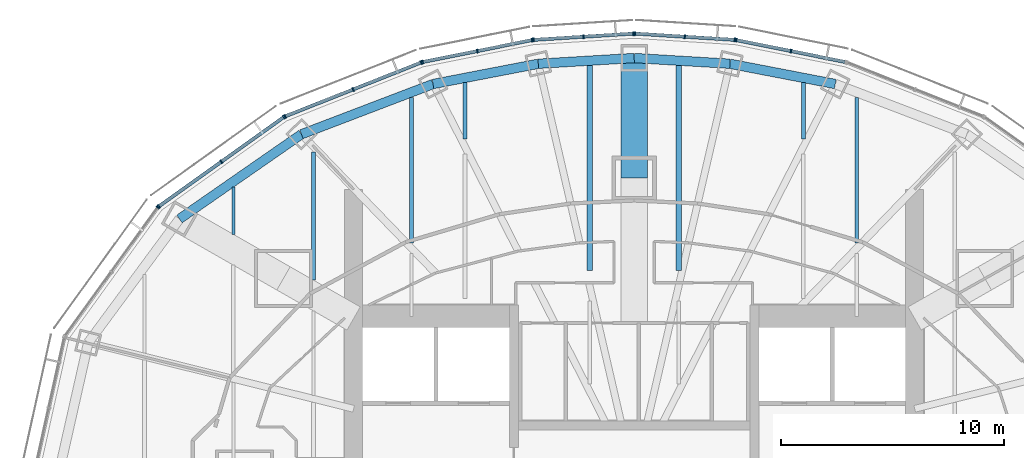
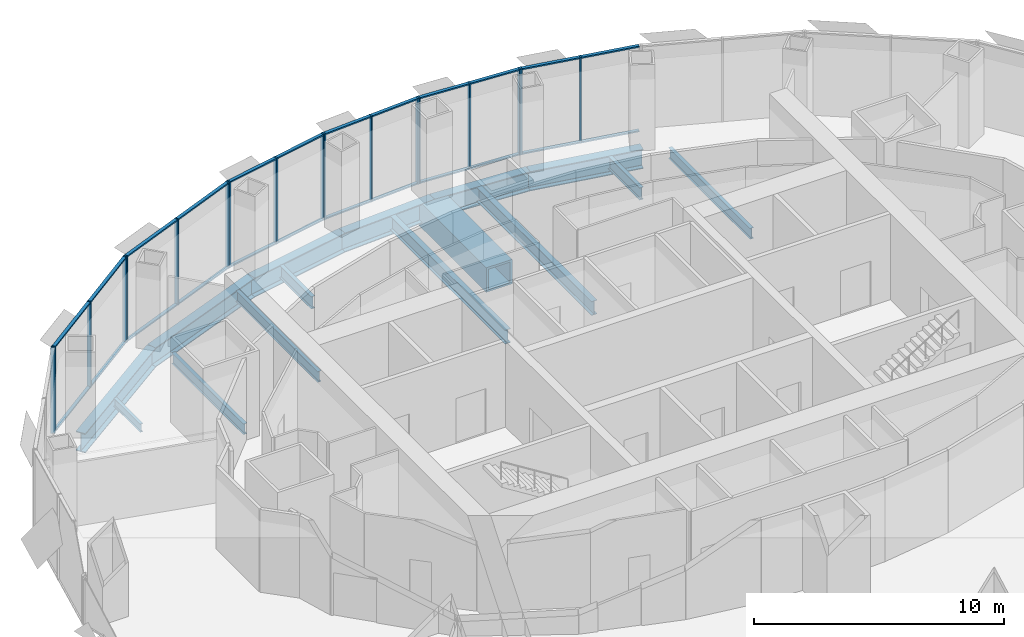
# One storey, part 8 of 17: 42 members, 15 beams, 7 elements without a shape of their own.
"""IFC4 building model written with IfcOpenShell, lengths in metres."""

from ifc_helpers import new_model, si_unit, direction, frame, origin, origin_2d, place, context, subcontext, project, spatial, rectangle, hollow_rectangle, i_section, extrude, material, material_profile, profile_set, type_object, element, aggregate, save


model = new_model("IFC4")

# Units and contexts
model_context = context("Model", 3, precision=1e-05, world=origin(), true_north=direction((0.0, 1.0)))
body_context = subcontext(model_context, "Body", "Model", "MODEL_VIEW")
ifc_project = project(units=[si_unit("LENGTHUNIT", "METRE"), si_unit("AREAUNIT", "SQUARE_METRE"), si_unit("VOLUMEUNIT", "CUBIC_METRE"), si_unit("PLANEANGLEUNIT", "RADIAN"), si_unit("MASSUNIT", "GRAM", prefix="KILO")], contexts=[model_context])

# Site, building, storey
site_placement = place(None, origin())
site = spatial("IfcSite", under=ifc_project, at=site_placement, CompositionType="ELEMENT")
building_placement = place(site_placement, origin())
building = spatial("IfcBuilding", under=site, at=building_placement, Name="Lantaw Convention Tower", CompositionType="ELEMENT")
storey_placement = place(building_placement, frame((0.0, 0.0, 203.199951171875)))
storey = spatial("IfcBuildingStorey", under=building, at=storey_placement, Name="L47", CompositionType="ELEMENT", Elevation=203.199951171875)

# Beams
ifc_material_1 = material(Name="Steel ASTM A992", Category="steel")
ifc_material_profile_1 = material_profile(ifc_material_1, i_section(OverallWidth=0.424072265625, OverallDepth=0.947509765625, WebThickness=0.02392578125, FlangeThickness=0.042724609375, FilletRadius=0.012451171875, at=origin_2d()), Name="W36X302")
ifc_profile_set_1 = profile_set([ifc_material_profile_1], Name="Steel ASTM A992")
beam_type_1 = type_object("IfcBeamType", Name="Beam BC W36X302", PredefinedType="SPANDREL", material=ifc_profile_set_1)
beam_1_placement = place(storey_placement, frame((9.03466796875, 17.7314453125, -0.623779296875), z_axis=(-0.981972091702, 0.189025953556, 0.0), x_axis=(-0.189025953556, -0.981972091702, 0.0)))
element("IfcBeam", 1, at=beam_1_placement, inside=storey, type_object=beam_type_1, Name="Belt truss chord 5", PredefinedType="SPANDREL", context=body_context, shape_type="SweptSolid", body=[
    extrude(i_section(OverallWidth=0.424072265625, OverallDepth=0.947509765625, WebThickness=0.02392578125, FlangeThickness=0.042724609375, FilletRadius=0.012451171875, at=origin_2d()), origin(), (0.0, 0.0, 1.0), 4.817626953125),
])
for number, where, z_axis, x_axis, name in (
    (2, (4.303955078125, 18.64208984375, -0.623779296875), (-0.998210730897, 0.059794119452, 0.0), (-0.059794119452, -0.998210730897, 0.0), "Belt truss chord 6"),
    (3, (0.0, 18.89990234375, -0.623779296875), (-0.998210730897, -0.059794119452, 0.0), (0.059794119452, -0.998210730897, 0.0), "Belt truss chord 7"),
):
    element("IfcBeam", number, at=place(storey_placement, frame(where, z_axis=z_axis, x_axis=x_axis)), inside=storey, type_object=beam_type_1, Name=name, PredefinedType="SPANDREL", context=body_context, shape_type="SweptSolid", body=[
        extrude(i_section(OverallWidth=0.424072265625, OverallDepth=0.947509765625, WebThickness=0.02392578125, FlangeThickness=0.042724609375, FilletRadius=0.012451171875, at=origin_2d()), origin(), (0.0, 0.0, 1.0), 4.311767578125),
    ])
beam_2_placement = place(storey_placement, frame((-4.303955078125, 18.64208984375, -0.623779296875), z_axis=(-0.981972091702, -0.189025953556, 0.0), x_axis=(0.189025953556, -0.981972091702, 0.0)))
element("IfcBeam", 4, at=beam_2_placement, inside=storey, type_object=beam_type_1, Name="Belt truss chord 8", PredefinedType="SPANDREL", context=body_context, shape_type="SweptSolid", body=[
    extrude(i_section(OverallWidth=0.424072265625, OverallDepth=0.947509765625, WebThickness=0.02392578125, FlangeThickness=0.042724609375, FilletRadius=0.012451171875, at=origin_2d()), origin(), (0.0, 0.0, 1.0), 4.817626953125),
])
beam_3_placement = place(storey_placement, frame((-9.03466796875, 17.7314453125, -0.623779296875), z_axis=(-0.934234988, -0.356658081637, 0.0), x_axis=(0.356658081637, -0.934234988, 0.0)))
element("IfcBeam", 5, at=beam_3_placement, inside=storey, type_object=beam_type_1, Name="Belt truss chord 9", PredefinedType="SPANDREL", context=body_context, shape_type="SweptSolid", body=[
    extrude(i_section(OverallWidth=0.424072265625, OverallDepth=0.947509765625, WebThickness=0.02392578125, FlangeThickness=0.042724609375, FilletRadius=0.012451171875, at=origin_2d()), origin(), (0.0, 0.0, 1.0), 6.32568359375),
])
beam_4_placement = place(storey_placement, frame((-14.9443359375, 15.475341796875, -0.623779296875), z_axis=(-0.82135329406, -0.570419815869, 0.0), x_axis=(0.570419815869, -0.82135329406, 0.0)))
element("IfcBeam", 6, at=beam_4_placement, inside=storey, type_object=beam_type_1, Name="Belt truss chord 10", PredefinedType="SPANDREL", context=body_context, shape_type="SweptSolid", body=[
    extrude(i_section(OverallWidth=0.424072265625, OverallDepth=0.947509765625, WebThickness=0.02392578125, FlangeThickness=0.042724609375, FilletRadius=0.012451171875, at=origin_2d()), origin(), (0.0, 0.0, 1.0), 6.67041015625),
])
ifc_material_2 = material(Name="Steel EN 10025-3 S460N", Category="steel")
ifc_material_profile_2 = material_profile(ifc_material_2, hollow_rectangle(XDim=1.199951171875, YDim=1.199951171875, WallThickness=0.10009765625, at=origin_2d()), Name="BOX1200X100")
ifc_profile_set_2 = profile_set([ifc_material_profile_2], Name="Steel EN 10025-3 S460N")
beam_type_2 = type_object("IfcBeamType", Name="Beam G BOX1200X100", PredefinedType="BEAM", material=ifc_profile_set_2)
beam_5_placement = place(storey_placement, frame((0.0, 13.5, -0.75), z_axis=(0.0, 1.0, 0.0), x_axis=(-1.0, 0.0, 0.0)))
element("IfcBeam", 7, at=beam_5_placement, inside=storey, type_object=beam_type_2, Name="Floor girder on ray 7", PredefinedType="BEAM", context=body_context, shape_type="SweptSolid", body=[
    extrude(hollow_rectangle(XDim=1.199951171875, YDim=1.199951171875, WallThickness=0.10009765625, at=origin_2d()), origin(), (0.0, 0.0, 1.0), 5.39990234375),
])
ifc_material_profile_3 = material_profile(ifc_material_1, i_section(OverallWidth=0.140380859375, OverallDepth=0.40380859375, WebThickness=0.007080078125, FlangeThickness=0.01123046875, FilletRadius=0.01025390625, at=origin_2d()), Name="W16X31")
ifc_profile_set_3 = profile_set([ifc_material_profile_3], Name="Steel ASTM A992")
beam_type_3 = type_object("IfcBeamType", Name="Beam J W16X31", PredefinedType="JOIST", material=ifc_profile_set_3)
beam_6_placement = place(storey_placement, frame((-18.0, 10.976806640625, -0.351806640625), z_axis=(0.0, 1.0, 0.0), x_axis=(-1.0, 0.0, 0.0)))
element("IfcBeam", 8, at=beam_6_placement, inside=storey, type_object=beam_type_3, Name="Floor joist", PredefinedType="JOIST", context=body_context, shape_type="SweptSolid", body=[
    extrude(i_section(OverallWidth=0.140380859375, OverallDepth=0.40380859375, WebThickness=0.007080078125, FlangeThickness=0.01123046875, FilletRadius=0.01025390625, at=origin_2d()), origin(), (0.0, 0.0, 1.0), 2.1181640625),
])
ifc_material_profile_4 = material_profile(ifc_material_1, i_section(OverallWidth=0.1650390625, OverallDepth=0.52587890625, WebThickness=0.0087890625, FlangeThickness=0.011474609375, FilletRadius=0.0126953125, at=origin_2d()), Name="W21X44")
ifc_profile_set_4 = profile_set([ifc_material_profile_4], Name="Steel ASTM A992")
beam_type_4 = type_object("IfcBeamType", Name="Beam J W21X44", PredefinedType="JOIST", material=ifc_profile_set_4)
beam_7_placement = place(storey_placement, frame((-14.39990234375, 8.919677734375, -0.412841796875), z_axis=(0.0, 1.0, 0.0), x_axis=(-1.0, 0.0, 0.0)))
element("IfcBeam", 9, at=beam_7_placement, inside=storey, type_object=beam_type_4, Name="Floor joist", PredefinedType="JOIST", context=body_context, shape_type="SweptSolid", body=[
    extrude(i_section(OverallWidth=0.1650390625, OverallDepth=0.52587890625, WebThickness=0.0087890625, FlangeThickness=0.011474609375, FilletRadius=0.0126953125, at=origin_2d()), origin(), (0.0, 0.0, 1.0), 5.756103515625),
])
for number, where, z_axis, x_axis, name in (
    (10, (-10.0, 10.591064453125, -0.412841796875), (0.0, 1.0, 0.0), (-1.0, 0.0, 0.0), "Floor joist"),
    (11, (10.0, 10.591064453125, -0.412841796875), (0.0, 1.0, 0.0), (-1.0, 0.0, 0.0), "Floor joist"),
):
    element("IfcBeam", number, at=place(storey_placement, frame(where, z_axis=z_axis, x_axis=x_axis)), inside=storey, type_object=beam_type_4, Name=name, PredefinedType="JOIST", context=body_context, shape_type="SweptSolid", body=[
        extrude(i_section(OverallWidth=0.1650390625, OverallDepth=0.52587890625, WebThickness=0.0087890625, FlangeThickness=0.011474609375, FilletRadius=0.0126953125, at=origin_2d()), origin(), (0.0, 0.0, 1.0), 6.544921875),
    ])
ifc_material_profile_5 = material_profile(ifc_material_1, i_section(OverallWidth=0.177978515625, OverallDepth=0.599365234375, WebThickness=0.010009765625, FlangeThickness=0.012939453125, FilletRadius=0.012939453125, at=origin_2d()), Name="W24X55")
ifc_profile_set_5 = profile_set([ifc_material_profile_5], Name="Steel ASTM A992")
beam_type_5 = type_object("IfcBeamType", Name="Beam J W24X55", PredefinedType="JOIST", material=ifc_profile_set_5)
for number, where, z_axis, x_axis, name in (
    (12, (-7.60009765625, 15.25439453125, -0.44970703125), (0.0, 1.0, 0.0), (-1.0, 0.0, 0.0), "Floor joist"),
    (13, (7.60009765625, 15.25439453125, -0.44970703125), (0.0, 1.0, 0.0), (-1.0, 0.0, 0.0), "Floor joist"),
):
    element("IfcBeam", number, at=place(storey_placement, frame(where, z_axis=z_axis, x_axis=x_axis)), inside=storey, type_object=beam_type_5, Name=name, PredefinedType="JOIST", context=body_context, shape_type="SweptSolid", body=[
        extrude(i_section(OverallWidth=0.177978515625, OverallDepth=0.599365234375, WebThickness=0.010009765625, FlangeThickness=0.012939453125, FilletRadius=0.012939453125, at=origin_2d()), origin(), (0.0, 0.0, 1.0), 2.537353515625),
    ])
ifc_material_profile_6 = material_profile(ifc_material_1, i_section(OverallWidth=0.25390625, OverallDepth=0.683349609375, WebThickness=0.012451171875, FlangeThickness=0.01904296875, FilletRadius=0.01513671875, at=origin_2d()), Name="W27X94")
ifc_profile_set_6 = profile_set([ifc_material_profile_6], Name="Steel ASTM A992")
beam_type_6 = type_object("IfcBeamType", Name="Beam J W27X94", PredefinedType="JOIST", material=ifc_profile_set_6)
for number, where, z_axis, x_axis, name in (
    (14, (-2.0, 9.34619140625, -0.49169921875), (0.0, 1.0, 0.0), (-1.0, 0.0, 0.0), "Floor joist"),
    (15, (2.0, 9.34619140625, -0.49169921875), (0.0, 1.0, 0.0), (-1.0, 0.0, 0.0), "Floor joist"),
):
    element("IfcBeam", number, at=place(storey_placement, frame(where, z_axis=z_axis, x_axis=x_axis)), inside=storey, type_object=beam_type_6, Name=name, PredefinedType="JOIST", context=body_context, shape_type="SweptSolid", body=[
        extrude(i_section(OverallWidth=0.25390625, OverallDepth=0.683349609375, WebThickness=0.012451171875, FlangeThickness=0.01904296875, FilletRadius=0.01513671875, at=origin_2d()), origin(), (0.0, 0.0, 1.0), 9.221435546875),
    ])

# Curtain wall, members
ifc_material_3 = material(Name="Aluminium framed curtain wall", Category="aluminium")
curtain_wall_type = type_object("IfcCurtainWallType", Name="Office curtain wall high rise, pale aluminium", PredefinedType="USERDEFINED", material=ifc_material_3)
curtain_wall_1_placement = place(storey_placement, origin())
curtain_wall_1 = element("IfcCurtainWall", 16, at=curtain_wall_1_placement, inside=storey, type_object=curtain_wall_type, Name="Office curtain wall high rise, pale aluminium L47", ObjectType="UNITISED CURTAIN WALL", PredefinedType="USERDEFINED")
ifc_material_4 = material(Name="Aluminium 6063-T6", Category="aluminium")
ifc_material_profile_7 = material_profile(ifc_material_4, rectangle(XDim=0.179931640625, YDim=0.06494140625, at=origin_2d()), Name="CW-O2 mullion 65x180")
ifc_profile_set_7 = profile_set([ifc_material_profile_7], Name="Aluminium 6063-T6")
member_type_1 = type_object("IfcMemberType", Name="CW-O2 mullion 65x180", PredefinedType="MULLION", material=ifc_profile_set_7)
member_1_placement = place(storey_placement, frame((7.042724609375, 19.212646484375, -0.14990234375), z_axis=(0.0, 0.0, 1.0), x_axis=(-0.197183095987, -0.980366679695, 0.0)))
member_1 = element("IfcMember", 17, at=member_1_placement, type_object=member_type_1, Name="CW-O2 mullion 2", PredefinedType="MULLION", context=body_context, shape_type="SweptSolid", body=[
    extrude(rectangle(XDim=0.179931640625, YDim=0.06494140625, at=origin_2d()), origin(), (0.0, 0.0, 1.0), 4.199951171875),
])
member_2_placement = place(storey_placement, frame((4.583251953125, 19.70751953125, -0.14990234375), z_axis=(0.0, 0.0, 1.0), x_axis=(-0.197183095987, -0.980366679695, 0.0)))
member_2 = element("IfcMember", 18, at=member_2_placement, type_object=member_type_1, Name="CW-O2 mullion 3", PredefinedType="MULLION", context=body_context, shape_type="SweptSolid", body=[
    extrude(rectangle(XDim=0.179931640625, YDim=0.06494140625, at=origin_2d()), origin(), (0.0, 0.0, 1.0), 4.199951171875),
])

curtain_wall_2_placement = place(storey_placement, origin())
curtain_wall_2 = element("IfcCurtainWall", 19, at=curtain_wall_2_placement, inside=storey, type_object=curtain_wall_type, Name="Office curtain wall high rise, pale aluminium L47", ObjectType="UNITISED CURTAIN WALL", PredefinedType="USERDEFINED")
member_3_placement = place(storey_placement, frame((4.518798828125, 19.7158203125, -0.14990234375), z_axis=(0.0, 0.0, 1.0), x_axis=(-0.062757983884, -0.998028774865, 0.0)))
member_3 = element("IfcMember", 20, at=member_3_placement, type_object=member_type_1, Name="CW-O2 mullion 1", PredefinedType="MULLION", context=body_context, shape_type="SweptSolid", body=[
    extrude(rectangle(XDim=0.179931640625, YDim=0.06494140625, at=origin_2d()), origin(), (0.0, 0.0, 1.0), 4.199951171875),
])
member_4_placement = place(storey_placement, frame((2.275634765625, 19.85693359375, -0.14990234375), z_axis=(0.0, 0.0, 1.0), x_axis=(-0.062757983884, -0.998028774865, 0.0)))
member_4 = element("IfcMember", 21, at=member_4_placement, type_object=member_type_1, Name="CW-O2 mullion 2", PredefinedType="MULLION", context=body_context, shape_type="SweptSolid", body=[
    extrude(rectangle(XDim=0.179931640625, YDim=0.06494140625, at=origin_2d()), origin(), (0.0, 0.0, 1.0), 4.199951171875),
])
member_5_placement = place(storey_placement, frame((0.032470703125, 19.998046875, -0.14990234375), z_axis=(0.0, 0.0, 1.0), x_axis=(-0.062757983884, -0.998028774865, 0.0)))
member_5 = element("IfcMember", 22, at=member_5_placement, type_object=member_type_1, Name="CW-O2 mullion 3", PredefinedType="MULLION", context=body_context, shape_type="SweptSolid", body=[
    extrude(rectangle(XDim=0.179931640625, YDim=0.06494140625, at=origin_2d()), origin(), (0.0, 0.0, 1.0), 4.199951171875),
])

curtain_wall_3_placement = place(storey_placement, origin())
curtain_wall_3 = element("IfcCurtainWall", 23, at=curtain_wall_3_placement, inside=storey, type_object=curtain_wall_type, Name="Office curtain wall high rise, pale aluminium L47", ObjectType="UNITISED CURTAIN WALL", PredefinedType="USERDEFINED")
member_6_placement = place(storey_placement, frame((-0.032470703125, 19.998046875, -0.14990234375), z_axis=(0.0, 0.0, 1.0), x_axis=(0.062757983884, -0.998028774865, 0.0)))
member_6 = element("IfcMember", 24, at=member_6_placement, type_object=member_type_1, Name="CW-O2 mullion 1", PredefinedType="MULLION", context=body_context, shape_type="SweptSolid", body=[
    extrude(rectangle(XDim=0.179931640625, YDim=0.06494140625, at=origin_2d()), origin(), (0.0, 0.0, 1.0), 4.199951171875),
])
member_7_placement = place(storey_placement, frame((-2.275634765625, 19.85693359375, -0.14990234375), z_axis=(0.0, 0.0, 1.0), x_axis=(0.062757983884, -0.998028774865, 0.0)))
member_7 = element("IfcMember", 25, at=member_7_placement, type_object=member_type_1, Name="CW-O2 mullion 2", PredefinedType="MULLION", context=body_context, shape_type="SweptSolid", body=[
    extrude(rectangle(XDim=0.179931640625, YDim=0.06494140625, at=origin_2d()), origin(), (0.0, 0.0, 1.0), 4.199951171875),
])
member_8_placement = place(storey_placement, frame((-4.518798828125, 19.7158203125, -0.14990234375), z_axis=(0.0, 0.0, 1.0), x_axis=(0.062757983884, -0.998028774865, 0.0)))
member_8 = element("IfcMember", 26, at=member_8_placement, type_object=member_type_1, Name="CW-O2 mullion 3", PredefinedType="MULLION", context=body_context, shape_type="SweptSolid", body=[
    extrude(rectangle(XDim=0.179931640625, YDim=0.06494140625, at=origin_2d()), origin(), (0.0, 0.0, 1.0), 4.199951171875),
])

curtain_wall_4_placement = place(storey_placement, origin())
curtain_wall_4 = element("IfcCurtainWall", 27, at=curtain_wall_4_placement, inside=storey, type_object=curtain_wall_type, Name="Office curtain wall high rise, pale aluminium L47", ObjectType="UNITISED CURTAIN WALL", PredefinedType="USERDEFINED")
member_9_placement = place(storey_placement, frame((-4.583251953125, 19.70751953125, -0.14990234375), z_axis=(0.0, 0.0, 1.0), x_axis=(0.197183095987, -0.980366679695, 0.0)))
member_9 = element("IfcMember", 28, at=member_9_placement, type_object=member_type_1, Name="CW-O2 mullion 1", PredefinedType="MULLION", context=body_context, shape_type="SweptSolid", body=[
    extrude(rectangle(XDim=0.179931640625, YDim=0.06494140625, at=origin_2d()), origin(), (0.0, 0.0, 1.0), 4.199951171875),
])
member_10_placement = place(storey_placement, frame((-7.042724609375, 19.212646484375, -0.14990234375), z_axis=(0.0, 0.0, 1.0), x_axis=(0.197183095987, -0.980366679695, 0.0)))
member_10 = element("IfcMember", 29, at=member_10_placement, type_object=member_type_1, Name="CW-O2 mullion 2", PredefinedType="MULLION", context=body_context, shape_type="SweptSolid", body=[
    extrude(rectangle(XDim=0.179931640625, YDim=0.06494140625, at=origin_2d()), origin(), (0.0, 0.0, 1.0), 4.199951171875),
])
member_11_placement = place(storey_placement, frame((-9.502197265625, 18.718017578125, -0.14990234375), z_axis=(0.0, 0.0, 1.0), x_axis=(0.197183095987, -0.980366679695, 0.0)))
member_11 = element("IfcMember", 30, at=member_11_placement, type_object=member_type_1, Name="CW-O2 mullion 3", PredefinedType="MULLION", context=body_context, shape_type="SweptSolid", body=[
    extrude(rectangle(XDim=0.179931640625, YDim=0.06494140625, at=origin_2d()), origin(), (0.0, 0.0, 1.0), 4.199951171875),
])

curtain_wall_5_placement = place(storey_placement, origin())
curtain_wall_5 = element("IfcCurtainWall", 31, at=curtain_wall_5_placement, inside=storey, type_object=curtain_wall_type, Name="Office curtain wall high rise, pale aluminium L47", ObjectType="UNITISED CURTAIN WALL", PredefinedType="USERDEFINED")
member_12_placement = place(storey_placement, frame((-9.564208984375, 18.69970703125, -0.14990234375), z_axis=(0.0, 0.0, 1.0), x_axis=(0.368162315252, -0.929761533743, 0.0)))
member_12 = element("IfcMember", 32, at=member_12_placement, type_object=member_type_1, Name="CW-O2 mullion 1", PredefinedType="MULLION", context=body_context, shape_type="SweptSolid", body=[
    extrude(rectangle(XDim=0.179931640625, YDim=0.06494140625, at=origin_2d()), origin(), (0.0, 0.0, 1.0), 4.199951171875),
])
member_13_placement = place(storey_placement, frame((-12.621337890625, 17.4892578125, -0.14990234375), z_axis=(0.0, 0.0, 1.0), x_axis=(0.368162315252, -0.929761533743, 0.0)))
member_13 = element("IfcMember", 33, at=member_13_placement, type_object=member_type_1, Name="CW-O2 mullion 2", PredefinedType="MULLION", context=body_context, shape_type="SweptSolid", body=[
    extrude(rectangle(XDim=0.179931640625, YDim=0.06494140625, at=origin_2d()), origin(), (0.0, 0.0, 1.0), 4.199951171875),
])
member_14_placement = place(storey_placement, frame((-15.67822265625, 16.278564453125, -0.14990234375), z_axis=(0.0, 0.0, 1.0), x_axis=(0.368162315252, -0.929761533743, 0.0)))
member_14 = element("IfcMember", 34, at=member_14_placement, type_object=member_type_1, Name="CW-O2 mullion 3", PredefinedType="MULLION", context=body_context, shape_type="SweptSolid", body=[
    extrude(rectangle(XDim=0.179931640625, YDim=0.06494140625, at=origin_2d()), origin(), (0.0, 0.0, 1.0), 4.199951171875),
])

curtain_wall_6_placement = place(storey_placement, origin())
curtain_wall_6 = element("IfcCurtainWall", 35, at=curtain_wall_6_placement, inside=storey, type_object=curtain_wall_type, Name="Office curtain wall high rise, pale aluminium L47", ObjectType="UNITISED CURTAIN WALL", PredefinedType="USERDEFINED")
member_15_placement = place(storey_placement, frame((-15.73486328125, 16.247802734375, -0.14990234375), z_axis=(0.0, 0.0, 1.0), x_axis=(0.581323487281, -0.813672540482, 0.0)))
member_15 = element("IfcMember", 36, at=member_15_placement, type_object=member_type_1, Name="CW-O2 mullion 1", PredefinedType="MULLION", context=body_context, shape_type="SweptSolid", body=[
    extrude(rectangle(XDim=0.179931640625, YDim=0.06494140625, at=origin_2d()), origin(), (0.0, 0.0, 1.0), 4.199951171875),
])
member_16_placement = place(storey_placement, frame((-18.543212890625, 14.241455078125, -0.14990234375), z_axis=(0.0, 0.0, 1.0), x_axis=(0.581323487281, -0.813672540482, 0.0)))
member_16 = element("IfcMember", 37, at=member_16_placement, type_object=member_type_1, Name="CW-O2 mullion 2", PredefinedType="MULLION", context=body_context, shape_type="SweptSolid", body=[
    extrude(rectangle(XDim=0.179931640625, YDim=0.06494140625, at=origin_2d()), origin(), (0.0, 0.0, 1.0), 4.199951171875),
])
member_17_placement = place(storey_placement, frame((-21.3515625, 12.23486328125, -0.14990234375), z_axis=(0.0, 0.0, 1.0), x_axis=(0.581323487281, -0.813672540482, 0.0)))
member_17 = element("IfcMember", 38, at=member_17_placement, type_object=member_type_1, Name="CW-O2 mullion 3", PredefinedType="MULLION", context=body_context, shape_type="SweptSolid", body=[
    extrude(rectangle(XDim=0.179931640625, YDim=0.06494140625, at=origin_2d()), origin(), (0.0, 0.0, 1.0), 4.199951171875),
])

# Curtain wall, member
curtain_wall_7_placement = place(storey_placement, origin())
curtain_wall_7 = element("IfcCurtainWall", 39, at=curtain_wall_7_placement, inside=storey, type_object=curtain_wall_type, Name="Office curtain wall high rise, pale aluminium L47", ObjectType="UNITISED CURTAIN WALL", PredefinedType="USERDEFINED")
member_18_placement = place(storey_placement, frame((-21.397216796875, 12.189697265625, -0.14990234375), z_axis=(0.0, 0.0, 1.0), x_axis=(0.810919559405, -0.585157643865, 0.0)))
member_18 = element("IfcMember", 40, at=member_18_placement, type_object=member_type_1, Name="CW-O2 mullion 1", PredefinedType="MULLION", context=body_context, shape_type="SweptSolid", body=[
    extrude(rectangle(XDim=0.179931640625, YDim=0.06494140625, at=origin_2d()), origin(), (0.0, 0.0, 1.0), 4.199951171875),
])
aggregate(curtain_wall_7, [member_18])

# Member
ifc_material_profile_8 = material_profile(ifc_material_4, rectangle(XDim=0.14990234375, YDim=0.06494140625, at=origin_2d()), Name="CW-O2 transom 65x150")
ifc_profile_set_8 = profile_set([ifc_material_profile_8], Name="Aluminium 6063-T6")
member_type_2 = type_object("IfcMemberType", Name="CW-O2 transom 65x150", PredefinedType="USERDEFINED", material=ifc_profile_set_8)
member_19_placement = place(storey_placement, frame((9.47021484375, 18.724365234375, -0.117431640625), z_axis=(-0.98036104319, 0.197211117829, 0.0), x_axis=(-0.197211117829, -0.98036104319, 0.0)))
member_19 = element("IfcMember", 41, at=member_19_placement, type_object=member_type_2, Name="CW-O2 transom 1.1", ObjectType="TRANSOM", PredefinedType="USERDEFINED", context=body_context, shape_type="SweptSolid", body=[
    extrude(rectangle(XDim=0.14990234375, YDim=0.06494140625, at=origin_2d()), origin(), (0.0, 0.0, 1.0), 2.44384765625),
])

member_20_placement = place(storey_placement, frame((9.47021484375, 18.724365234375, 4.017578125), z_axis=(-0.98036104319, 0.197211117829, 0.0), x_axis=(-0.197211117829, -0.98036104319, 0.0)))
member_20 = element("IfcMember", 42, at=member_20_placement, type_object=member_type_2, Name="CW-O2 transom 1.2", ObjectType="TRANSOM", PredefinedType="USERDEFINED", context=body_context, shape_type="SweptSolid", body=[
    extrude(rectangle(XDim=0.14990234375, YDim=0.06494140625, at=origin_2d()), origin(), (0.0, 0.0, 1.0), 2.44384765625),
])

member_21_placement = place(storey_placement, frame((7.0107421875, 19.21923828125, -0.117431640625), z_axis=(-0.980380354178, 0.197115096178, 0.0), x_axis=(-0.197115096178, -0.980380354178, 0.0)))
member_21 = element("IfcMember", 43, at=member_21_placement, type_object=member_type_2, Name="CW-O2 transom 2.1", ObjectType="TRANSOM", PredefinedType="USERDEFINED", context=body_context, shape_type="SweptSolid", body=[
    extrude(rectangle(XDim=0.14990234375, YDim=0.06494140625, at=origin_2d()), origin(), (0.0, 0.0, 1.0), 2.443603515625),
])

member_22_placement = place(storey_placement, frame((7.0107421875, 19.21923828125, 4.017578125), z_axis=(-0.980380354178, 0.197115096178, 0.0), x_axis=(-0.197115096178, -0.980380354178, 0.0)))
member_22 = element("IfcMember", 44, at=member_22_placement, type_object=member_type_2, Name="CW-O2 transom 2.2", ObjectType="TRANSOM", PredefinedType="USERDEFINED", context=body_context, shape_type="SweptSolid", body=[
    extrude(rectangle(XDim=0.14990234375, YDim=0.06494140625, at=origin_2d()), origin(), (0.0, 0.0, 1.0), 2.443603515625),
])

aggregate(curtain_wall_1, [member_1, member_2, member_19, member_20, member_21, member_22])

member_23_placement = place(storey_placement, frame((4.486328125, 19.7177734375, -0.117431640625), z_axis=(-0.998021991509, 0.062865765437, 0.0), x_axis=(-0.062865765437, -0.998021991509, 0.0)))
member_23 = element("IfcMember", 45, at=member_23_placement, type_object=member_type_2, Name="CW-O2 transom 1.1", ObjectType="TRANSOM", PredefinedType="USERDEFINED", context=body_context, shape_type="SweptSolid", body=[
    extrude(rectangle(XDim=0.14990234375, YDim=0.06494140625, at=origin_2d()), origin(), (0.0, 0.0, 1.0), 2.1826171875),
])

member_24_placement = place(storey_placement, frame((4.486328125, 19.7177734375, 4.017578125), z_axis=(-0.998021991509, 0.062865765437, 0.0), x_axis=(-0.062865765437, -0.998021991509, 0.0)))
member_24 = element("IfcMember", 46, at=member_24_placement, type_object=member_type_2, Name="CW-O2 transom 1.2", ObjectType="TRANSOM", PredefinedType="USERDEFINED", context=body_context, shape_type="SweptSolid", body=[
    extrude(rectangle(XDim=0.14990234375, YDim=0.06494140625, at=origin_2d()), origin(), (0.0, 0.0, 1.0), 2.1826171875),
])

member_25_placement = place(storey_placement, frame((2.2431640625, 19.85888671875, -0.117431640625), z_axis=(-0.998029003644, 0.062754345555, 0.0), x_axis=(-0.062754345555, -0.998029003644, 0.0)))
member_25 = element("IfcMember", 47, at=member_25_placement, type_object=member_type_2, Name="CW-O2 transom 2.1", ObjectType="TRANSOM", PredefinedType="USERDEFINED", context=body_context, shape_type="SweptSolid", body=[
    extrude(rectangle(XDim=0.14990234375, YDim=0.06494140625, at=origin_2d()), origin(), (0.0, 0.0, 1.0), 2.1826171875),
])

member_26_placement = place(storey_placement, frame((2.2431640625, 19.85888671875, 4.017578125), z_axis=(-0.998029003644, 0.062754345555, 0.0), x_axis=(-0.062754345555, -0.998029003644, 0.0)))
member_26 = element("IfcMember", 48, at=member_26_placement, type_object=member_type_2, Name="CW-O2 transom 2.2", ObjectType="TRANSOM", PredefinedType="USERDEFINED", context=body_context, shape_type="SweptSolid", body=[
    extrude(rectangle(XDim=0.14990234375, YDim=0.06494140625, at=origin_2d()), origin(), (0.0, 0.0, 1.0), 2.1826171875),
])

aggregate(curtain_wall_2, [member_3, member_4, member_5, member_23, member_24, member_25, member_26])

member_27_placement = place(storey_placement, frame((-0.06494140625, 19.995849609375, -0.117431640625), z_axis=(-0.998029003644, -0.062754345555, 0.0), x_axis=(0.062754345555, -0.998029003644, 0.0)))
member_27 = element("IfcMember", 49, at=member_27_placement, type_object=member_type_2, Name="CW-O2 transom 1.1", ObjectType="TRANSOM", PredefinedType="USERDEFINED", context=body_context, shape_type="SweptSolid", body=[
    extrude(rectangle(XDim=0.14990234375, YDim=0.06494140625, at=origin_2d()), origin(), (0.0, 0.0, 1.0), 2.1826171875),
])

member_28_placement = place(storey_placement, frame((-0.06494140625, 19.995849609375, 4.017578125), z_axis=(-0.998029003644, -0.062754345555, 0.0), x_axis=(0.062754345555, -0.998029003644, 0.0)))
member_28 = element("IfcMember", 50, at=member_28_placement, type_object=member_type_2, Name="CW-O2 transom 1.2", ObjectType="TRANSOM", PredefinedType="USERDEFINED", context=body_context, shape_type="SweptSolid", body=[
    extrude(rectangle(XDim=0.14990234375, YDim=0.06494140625, at=origin_2d()), origin(), (0.0, 0.0, 1.0), 2.1826171875),
])

member_29_placement = place(storey_placement, frame((-2.30810546875, 19.85498046875, -0.117431640625), z_axis=(-0.998021991509, -0.062865765437, 0.0), x_axis=(0.062865765437, -0.998021991509, 0.0)))
member_29 = element("IfcMember", 51, at=member_29_placement, type_object=member_type_2, Name="CW-O2 transom 2.1", ObjectType="TRANSOM", PredefinedType="USERDEFINED", context=body_context, shape_type="SweptSolid", body=[
    extrude(rectangle(XDim=0.14990234375, YDim=0.06494140625, at=origin_2d()), origin(), (0.0, 0.0, 1.0), 2.1826171875),
])

member_30_placement = place(storey_placement, frame((-2.30810546875, 19.85498046875, 4.017578125), z_axis=(-0.998021991509, -0.062865765437, 0.0), x_axis=(0.062865765437, -0.998021991509, 0.0)))
member_30 = element("IfcMember", 52, at=member_30_placement, type_object=member_type_2, Name="CW-O2 transom 2.2", ObjectType="TRANSOM", PredefinedType="USERDEFINED", context=body_context, shape_type="SweptSolid", body=[
    extrude(rectangle(XDim=0.14990234375, YDim=0.06494140625, at=origin_2d()), origin(), (0.0, 0.0, 1.0), 2.1826171875),
])

aggregate(curtain_wall_3, [member_6, member_7, member_8, member_27, member_28, member_29, member_30])

member_31_placement = place(storey_placement, frame((-4.614990234375, 19.700927734375, -0.117431640625), z_axis=(-0.980380354178, -0.197115096178, 0.0), x_axis=(0.197115096178, -0.980380354178, 0.0)))
member_31 = element("IfcMember", 53, at=member_31_placement, type_object=member_type_2, Name="CW-O2 transom 1.1", ObjectType="TRANSOM", PredefinedType="USERDEFINED", context=body_context, shape_type="SweptSolid", body=[
    extrude(rectangle(XDim=0.14990234375, YDim=0.06494140625, at=origin_2d()), origin(), (0.0, 0.0, 1.0), 2.443603515625),
])

member_32_placement = place(storey_placement, frame((-4.614990234375, 19.700927734375, 4.017578125), z_axis=(-0.980380354178, -0.197115096178, 0.0), x_axis=(0.197115096178, -0.980380354178, 0.0)))
member_32 = element("IfcMember", 54, at=member_32_placement, type_object=member_type_2, Name="CW-O2 transom 1.2", ObjectType="TRANSOM", PredefinedType="USERDEFINED", context=body_context, shape_type="SweptSolid", body=[
    extrude(rectangle(XDim=0.14990234375, YDim=0.06494140625, at=origin_2d()), origin(), (0.0, 0.0, 1.0), 2.443603515625),
])

member_33_placement = place(storey_placement, frame((-7.074462890625, 19.206298828125, -0.117431640625), z_axis=(-0.98036104319, -0.197211117829, 0.0), x_axis=(0.197211117829, -0.98036104319, 0.0)))
member_33 = element("IfcMember", 55, at=member_33_placement, type_object=member_type_2, Name="CW-O2 transom 2.1", ObjectType="TRANSOM", PredefinedType="USERDEFINED", context=body_context, shape_type="SweptSolid", body=[
    extrude(rectangle(XDim=0.14990234375, YDim=0.06494140625, at=origin_2d()), origin(), (0.0, 0.0, 1.0), 2.44384765625),
])

member_34_placement = place(storey_placement, frame((-7.074462890625, 19.206298828125, 4.017578125), z_axis=(-0.98036104319, -0.197211117829, 0.0), x_axis=(0.197211117829, -0.98036104319, 0.0)))
member_34 = element("IfcMember", 56, at=member_34_placement, type_object=member_type_2, Name="CW-O2 transom 2.2", ObjectType="TRANSOM", PredefinedType="USERDEFINED", context=body_context, shape_type="SweptSolid", body=[
    extrude(rectangle(XDim=0.14990234375, YDim=0.06494140625, at=origin_2d()), origin(), (0.0, 0.0, 1.0), 2.44384765625),
])

aggregate(curtain_wall_4, [member_9, member_10, member_11, member_31, member_32, member_33, member_34])

member_35_placement = place(storey_placement, frame((-9.594482421875, 18.687744140625, -0.117431640625), z_axis=(-0.929766642946, -0.368149412149, 0.0), x_axis=(0.368149412149, -0.929766642946, 0.0)))
member_35 = element("IfcMember", 57, at=member_35_placement, type_object=member_type_2, Name="CW-O2 transom 1.1", ObjectType="TRANSOM", PredefinedType="USERDEFINED", context=body_context, shape_type="SweptSolid", body=[
    extrude(rectangle(XDim=0.14990234375, YDim=0.06494140625, at=origin_2d()), origin(), (0.0, 0.0, 1.0), 3.222900390625),
])

member_36_placement = place(storey_placement, frame((-9.594482421875, 18.687744140625, 4.017578125), z_axis=(-0.929766642946, -0.368149412149, 0.0), x_axis=(0.368149412149, -0.929766642946, 0.0)))
member_36 = element("IfcMember", 58, at=member_36_placement, type_object=member_type_2, Name="CW-O2 transom 1.2", ObjectType="TRANSOM", PredefinedType="USERDEFINED", context=body_context, shape_type="SweptSolid", body=[
    extrude(rectangle(XDim=0.14990234375, YDim=0.06494140625, at=origin_2d()), origin(), (0.0, 0.0, 1.0), 3.222900390625),
])

member_37_placement = place(storey_placement, frame((-12.651611328125, 17.477294921875, -0.117431640625), z_axis=(-0.929740712354, -0.368214893495, 0.0), x_axis=(0.368214893495, -0.929740712354, 0.0)))
member_37 = element("IfcMember", 59, at=member_37_placement, type_object=member_type_2, Name="CW-O2 transom 2.1", ObjectType="TRANSOM", PredefinedType="USERDEFINED", context=body_context, shape_type="SweptSolid", body=[
    extrude(rectangle(XDim=0.14990234375, YDim=0.06494140625, at=origin_2d()), origin(), (0.0, 0.0, 1.0), 3.22314453125),
])

member_38_placement = place(storey_placement, frame((-12.651611328125, 17.477294921875, 4.017578125), z_axis=(-0.929740712354, -0.368214893495, 0.0), x_axis=(0.368214893495, -0.929740712354, 0.0)))
member_38 = element("IfcMember", 60, at=member_38_placement, type_object=member_type_2, Name="CW-O2 transom 2.2", ObjectType="TRANSOM", PredefinedType="USERDEFINED", context=body_context, shape_type="SweptSolid", body=[
    extrude(rectangle(XDim=0.14990234375, YDim=0.06494140625, at=origin_2d()), origin(), (0.0, 0.0, 1.0), 3.22314453125),
])

aggregate(curtain_wall_5, [member_12, member_13, member_14, member_35, member_36, member_37, member_38])

member_39_placement = place(storey_placement, frame((-15.761474609375, 16.22900390625, -0.117431640625), z_axis=(-0.813645780821, -0.581360940683, 0.0), x_axis=(0.581360940683, -0.813645780821, 0.0)))
member_39 = element("IfcMember", 61, at=member_39_placement, type_object=member_type_2, Name="CW-O2 transom 1.1", ObjectType="TRANSOM", PredefinedType="USERDEFINED", context=body_context, shape_type="SweptSolid", body=[
    extrude(rectangle(XDim=0.14990234375, YDim=0.06494140625, at=origin_2d()), origin(), (0.0, 0.0, 1.0), 3.386474609375),
])

member_40_placement = place(storey_placement, frame((-15.761474609375, 16.22900390625, 4.017578125), z_axis=(-0.813645780821, -0.581360940683, 0.0), x_axis=(0.581360940683, -0.813645780821, 0.0)))
member_40 = element("IfcMember", 62, at=member_40_placement, type_object=member_type_2, Name="CW-O2 transom 1.2", ObjectType="TRANSOM", PredefinedType="USERDEFINED", context=body_context, shape_type="SweptSolid", body=[
    extrude(rectangle(XDim=0.14990234375, YDim=0.06494140625, at=origin_2d()), origin(), (0.0, 0.0, 1.0), 3.386474609375),
])

member_41_placement = place(storey_placement, frame((-18.56982421875, 14.222412109375, -0.117431640625), z_axis=(-0.813679882592, -0.581313210468, 0.0), x_axis=(0.581313210468, -0.813679882592, 0.0)))
member_41 = element("IfcMember", 63, at=member_41_placement, type_object=member_type_2, Name="CW-O2 transom 2.1", ObjectType="TRANSOM", PredefinedType="USERDEFINED", context=body_context, shape_type="SweptSolid", body=[
    extrude(rectangle(XDim=0.14990234375, YDim=0.06494140625, at=origin_2d()), origin(), (0.0, 0.0, 1.0), 3.38623046875),
])

member_42_placement = place(storey_placement, frame((-18.56982421875, 14.222412109375, 4.017578125), z_axis=(-0.813679882592, -0.581313210468, 0.0), x_axis=(0.581313210468, -0.813679882592, 0.0)))
member_42 = element("IfcMember", 64, at=member_42_placement, type_object=member_type_2, Name="CW-O2 transom 2.2", ObjectType="TRANSOM", PredefinedType="USERDEFINED", context=body_context, shape_type="SweptSolid", body=[
    extrude(rectangle(XDim=0.14990234375, YDim=0.06494140625, at=origin_2d()), origin(), (0.0, 0.0, 1.0), 3.38623046875),
])

aggregate(curtain_wall_6, [member_15, member_16, member_17, member_39, member_40, member_41, member_42])

save(model, "model.ifc")
